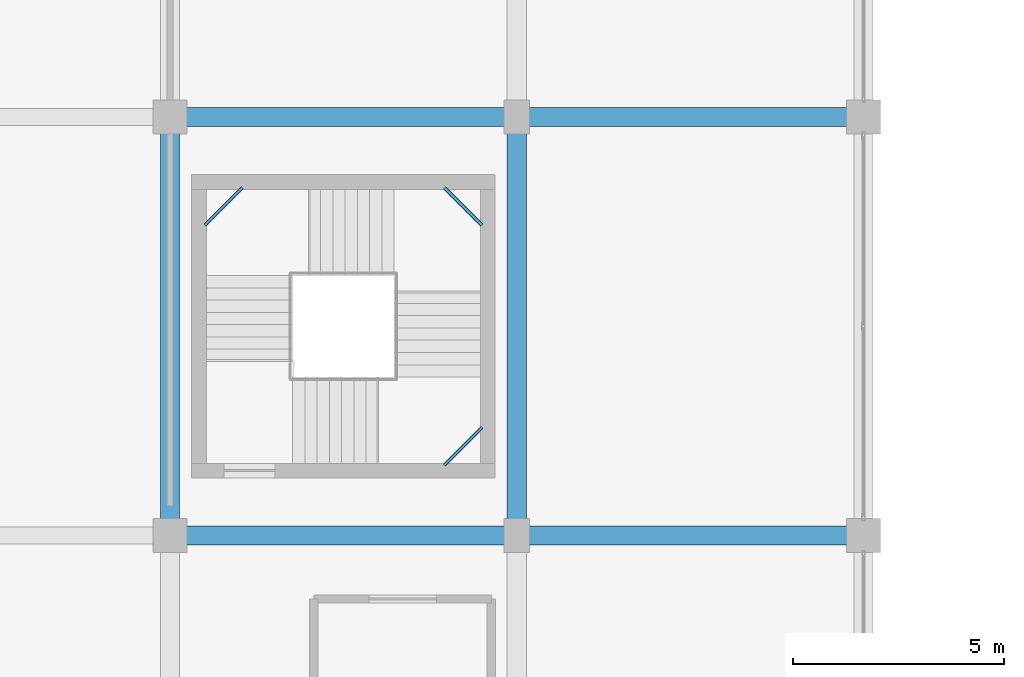
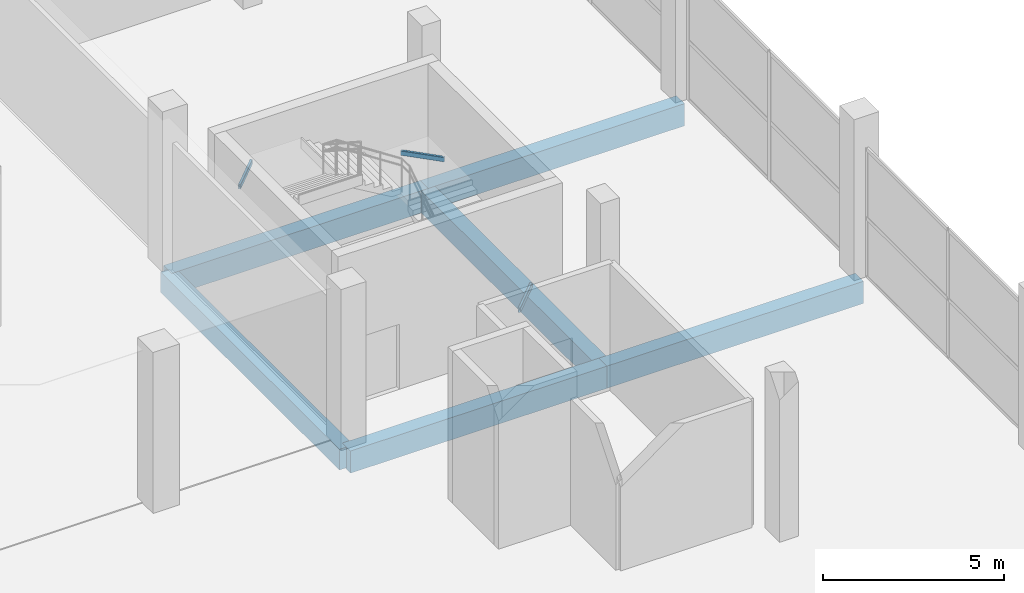
# One storey, part 9 of 72: 9 beams.
"""IFC4 building model written with IfcOpenShell, lengths in metres."""

from ifc_helpers import new_model, si_unit, direction, frame, origin, origin_2d, place, context, subcontext, project, spatial, rectangle, hollow_rectangle, extrude, material, material_profile, profile_set, type_object, element, save


model = new_model("IFC4")

# Units and contexts
model_context = context("Model", 3, precision=1e-05, world=origin(), true_north=direction((0.0, 1.0)))
body_context = subcontext(model_context, "Body", "Model", "MODEL_VIEW")
ifc_project = project(units=[si_unit("LENGTHUNIT", "METRE"), si_unit("AREAUNIT", "SQUARE_METRE"), si_unit("VOLUMEUNIT", "CUBIC_METRE"), si_unit("PLANEANGLEUNIT", "RADIAN"), si_unit("MASSUNIT", "GRAM", prefix="KILO")], contexts=[model_context])

# Site, building, storey
site_placement = place(None, origin())
site = spatial("IfcSite", under=ifc_project, at=site_placement, CompositionType="ELEMENT")
building_placement = place(site_placement, origin())
building = spatial("IfcBuilding", under=site, at=building_placement, Name="Sillaruma Civic Art Gallery", CompositionType="ELEMENT")
storey_placement = place(building_placement, frame((0.0, 0.0, 10.8798828125)))
storey = spatial("IfcBuildingStorey", under=building, at=storey_placement, Name="L02", CompositionType="ELEMENT", Elevation=10.8798828125)

# Beams
ifc_material_1 = material(Name="Concrete H40 (40 MPa)", Category="concrete")
ifc_material_profile_1 = material_profile(ifc_material_1, rectangle(XDim=0.449951171875, YDim=0.75, at=origin_2d()), Name="RCB450x750")
ifc_profile_set_1 = profile_set([ifc_material_profile_1], Name="Concrete H40 (40 MPa)")
beam_type_1 = type_object("IfcBeamType", Name="BM-BEAM-RCB450x750", PredefinedType="BEAM", material=ifc_profile_set_1)
for number, where, z_axis, x_axis, name in (
    (1, (98.0, 49.5, -0.634765625), (1.0, 0.0, 0.0), (0.0, 1.0, 0.0), "Beam BM-03 (L01:6:L-M)"),
    (2, (106.199951171875, 49.5, -0.634765625), (1.0, 0.0, 0.0), (0.0, 1.0, 0.0), "Beam BM-03 (L01:6:M-N)"),
    (3, (98.0, 59.39990234375, -0.634765625), (1.0, 0.0, 0.0), (0.0, 1.0, 0.0), "Beam BM-03 (L01:7:L-M)"),
    (4, (106.199951171875, 59.39990234375, -0.634765625), (1.0, 0.0, 0.0), (0.0, 1.0, 0.0), "Beam BM-03 (L01:7:M-N)"),
):
    element("IfcBeam", number, at=place(storey_placement, frame(where, z_axis=z_axis, x_axis=x_axis)), inside=storey, type_object=beam_type_1, Name=name, PredefinedType="BEAM", context=body_context, shape_type="SweptSolid", body=[
        extrude(rectangle(XDim=0.449951171875, YDim=0.75, at=origin_2d()), origin(), (0.0, 0.0, 1.0), 8.199951171875),
    ])
beam_1_placement = place(storey_placement, frame((106.199951171875, 49.5, -0.634765625), z_axis=(0.0, 1.0, 0.0), x_axis=(-1.0, 0.0, 0.0)))
element("IfcBeam", 5, at=beam_1_placement, inside=storey, type_object=beam_type_1, Name="Beam BM-03 (L01:M:6-7)", PredefinedType="BEAM", context=body_context, shape_type="SweptSolid", body=[
    extrude(rectangle(XDim=0.449951171875, YDim=0.75, at=origin_2d()), origin(), (0.0, 0.0, 1.0), 9.89990234375),
])
ifc_material_2 = material(Name="Structural Steel ASTM A500 Gr.C", Category="steel")
ifc_material_profile_2 = material_profile(ifc_material_2, hollow_rectangle(XDim=0.080078125, YDim=0.159912109375, WallThickness=0.008056640625, InnerFilletRadius=0.008056640625, OuterFilletRadius=0.01611328125, at=origin_2d()), Name="HSS160x80x8")
ifc_profile_set_2 = profile_set([ifc_material_profile_2], Name="Structural Steel ASTM A500 Gr.C")
beam_type_2 = type_object("IfcBeamType", Name="BM-LND-HSS160", PredefinedType="BEAM", material=ifc_profile_set_2)
beam_2_placement = place(storey_placement, frame((104.489990234375, 51.169921875, 1.080078125), z_axis=(0.707009791025, 0.707203758046, 0.0), x_axis=(-0.707203758046, 0.707009791025, 0.0)))
element("IfcBeam", 6, at=beam_2_placement, inside=storey, type_object=beam_type_2, Name="Stair Corner Landing Trimmer Beam (ST-04-L02-1)", PredefinedType="BEAM", context=body_context, shape_type="SweptSolid", body=[
    extrude(hollow_rectangle(XDim=0.080078125, YDim=0.159912109375, WallThickness=0.008056640625, InnerFilletRadius=0.008056640625, OuterFilletRadius=0.01611328125, at=origin_2d()), origin(), (0.0, 0.0, 1.0), 1.2587890625),
])
for number, where, z_axis, x_axis, name in (
    (7, (104.489990234375, 57.72998046875, 2.440185546875), (0.707106781187, -0.707106781187, 0.0), (0.707106781187, 0.707106781187, 0.0), "Stair Corner Landing Trimmer Beam (ST-04-L02-2)"),
    (8, (98.820068359375, 56.840087890625, 3.800048828125), (0.707106781187, 0.707106781187, 0.0), (-0.707106781187, 0.707106781187, 0.0), "Stair Corner Landing Trimmer Beam (ST-04-L02-3)"),
):
    element("IfcBeam", number, at=place(storey_placement, frame(where, z_axis=z_axis, x_axis=x_axis)), inside=storey, type_object=beam_type_2, Name=name, PredefinedType="BEAM", context=body_context, shape_type="SweptSolid", body=[
        extrude(hollow_rectangle(XDim=0.080078125, YDim=0.159912109375, WallThickness=0.008056640625, InnerFilletRadius=0.008056640625, OuterFilletRadius=0.01611328125, at=origin_2d()), origin(), (0.0, 0.0, 1.0), 1.258544921875),
    ])
ifc_material_3 = material(Name="Concrete H35 (35 MPa)", Category="concrete")
ifc_material_profile_3 = material_profile(ifc_material_3, rectangle(XDim=0.449951171875, YDim=0.699951171875, at=origin_2d()), Name="RCB450x700")
ifc_profile_set_3 = profile_set([ifc_material_profile_3], Name="Concrete H35 (35 MPa)")
beam_type_3 = type_object("IfcBeamType", Name="BM-SPANDREL-RCB450x700", PredefinedType="SPANDREL", material=ifc_profile_set_3)
beam_3_placement = place(storey_placement, frame((98.0, 49.5, -0.60986328125), z_axis=(0.0, 1.0, 0.0), x_axis=(-1.0, 0.0, 0.0)))
element("IfcBeam", 9, at=beam_3_placement, inside=storey, type_object=beam_type_3, Name="Beam BS-03 (L01:L:6-7)", PredefinedType="SPANDREL", context=body_context, shape_type="SweptSolid", body=[
    extrude(rectangle(XDim=0.449951171875, YDim=0.699951171875, at=origin_2d()), origin(), (0.0, 0.0, 1.0), 9.89990234375),
])

save(model, "model.ifc")
